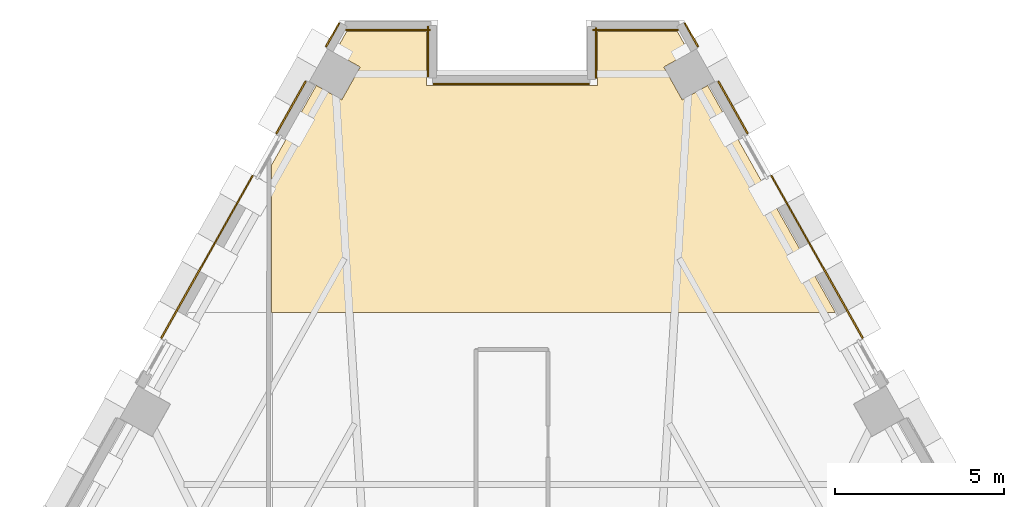
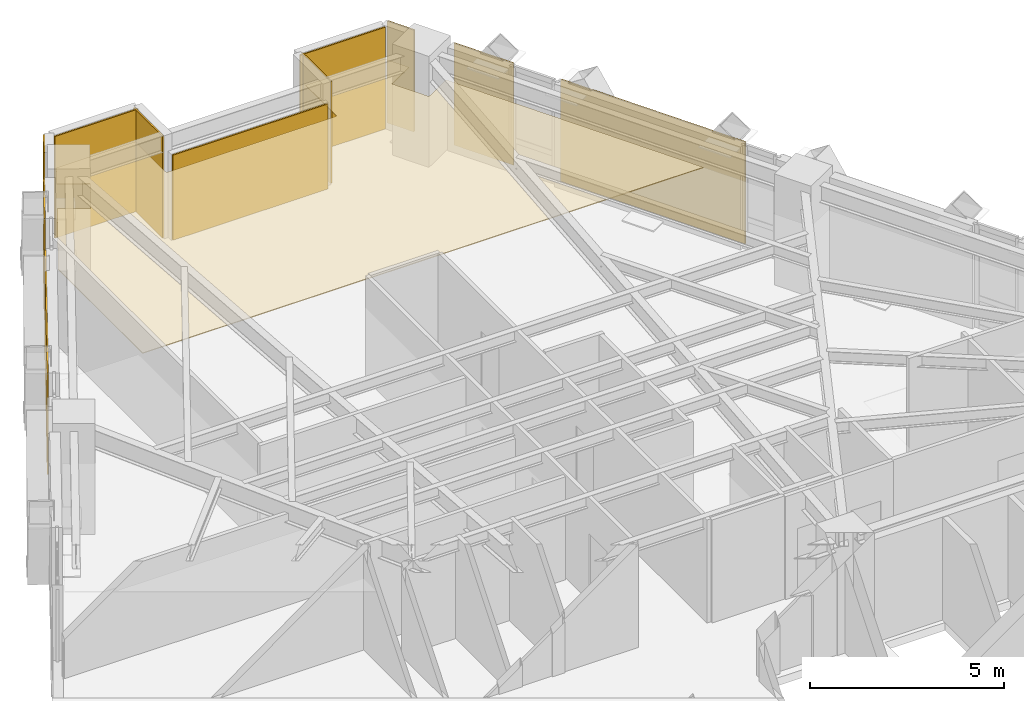
# One storey, part 13 of 13: 12 coverings.
"""IFC4 building model written with IfcOpenShell, lengths in metres."""

from ifc_helpers import new_model, si_unit, direction, frame, origin, place, context, subcontext, project, spatial, polyline, outline, extrude, material, layer, layer_set, type_object, element, save


model = new_model("IFC4")

# Units and contexts
model_context = context("Model", 3, precision=1e-05, world=origin(), true_north=direction((0.0, 1.0)))
body_context = subcontext(model_context, "Body", "Model", "MODEL_VIEW")
ifc_project = project(units=[si_unit("LENGTHUNIT", "METRE"), si_unit("AREAUNIT", "SQUARE_METRE"), si_unit("VOLUMEUNIT", "CUBIC_METRE"), si_unit("PLANEANGLEUNIT", "RADIAN"), si_unit("MASSUNIT", "GRAM", prefix="KILO")], contexts=[model_context])

# Site, building, storey
site_placement = place(None, origin())
site = spatial("IfcSite", under=ifc_project, at=site_placement, CompositionType="ELEMENT")
building_placement = place(site_placement, origin())
building = spatial("IfcBuilding", under=site, at=building_placement, Name="Quenlor Broadcast Tower", CompositionType="ELEMENT")
storey_placement = place(building_placement, frame((0.0, 0.0, 98.5)))
storey = spatial("IfcBuildingStorey", under=building, at=storey_placement, Name="L26", CompositionType="ELEMENT", Elevation=98.5)

# Coverings
ifc_material_1 = material(Name="Acoustic Mineral Fibre Board", Category="other")
ifc_layer_1 = layer(ifc_material_1, 0.02490234375)
ifc_layer_set_1 = layer_set([ifc_layer_1], Name="Acoustic Perforated Mineral Tile Ceiling 25")
covering_type_1 = type_object("IfcCoveringType", Name="Acoustic Perforated Mineral Tile Ceiling 25", PredefinedType="CEILING", material=ifc_layer_set_1)
covering_1_placement = place(storey_placement, frame((0.0, 0.0, 2.22509765625)))
element("IfcCovering", 1, at=covering_1_placement, inside=storey, type_object=covering_type_1, Name="L26 Acoustic Ceiling L26-33-2", PredefinedType="CEILING", context=body_context, shape_type="SweptSolid", body=[
    extrude(outline(polyline([(-7.139892578125, 17.01318359375), (-5.805908203125, 19.384765625), (-5.049560546875, 18.959228515625), (-4.50244140625, 19.931884765625), (-5.2587890625, 20.357421875), (-4.904296875, 20.988037109375), (-2.5400390625, 20.988037109375), (-2.5400390625, 19.387939453125), (2.5400390625, 19.387939453125), (2.5400390625, 20.988037109375), (2.909912109375, 20.988037109375), (4.904296875, 20.988037109375), (5.2587890625, 20.357421875), (4.50244140625, 19.931884765625), (5.049560546875, 18.959228515625), (5.805908203125, 19.384765625), (7.78662109375, 15.86376953125), (9.59423828125, 12.64990234375), (-7.139892578125, 12.64990234375), (-7.139892578125, 17.01318359375)])), origin(), (0.0, 0.0, 1.0), 0.02490234375),
])
ifc_material_2 = material(Name="Architectural Terracotta Ceramic", Category="masonry")
ifc_layer_2 = layer(ifc_material_2, 0.044921875)
ifc_layer_set_2 = layer_set([ifc_layer_2], Name="Fluted Terracotta Rainscreen Cladding Panel")
covering_type_2 = type_object("IfcCoveringType", Name="Fluted Terracotta Rainscreen Cladding Panel", PredefinedType="CLADDING", material=ifc_layer_set_2)
covering_2_placement = place(storey_placement, frame((0.0, 0.0, 0.02001953125)))
element("IfcCovering", 2, at=covering_2_placement, inside=storey, type_object=covering_type_2, Name="L26 Terracotta Rainscreen Cladding L26-SHD-NES0", PredefinedType="CLADDING", context=body_context, shape_type="SweptSolid", body=[
    extrude(outline(polyline([(5.105224609375, 21.22607421875), (5.5, 20.524169921875), (5.539306640625, 20.546142578125), (5.144287109375, 21.248046875), (5.105224609375, 21.22607421875)])), origin(), (0.0, 0.0, 1.0), 3.2099609375),
])
covering_3_placement = place(storey_placement, frame((0.0, 0.0, 0.02001953125)))
element("IfcCovering", 3, at=covering_3_placement, inside=storey, type_object=covering_type_2, Name="L26 Terracotta Rainscreen Cladding L26-NEA-SP1", PredefinedType="CLADDING", context=body_context, shape_type="SweptSolid", body=[
    extrude(outline(polyline([(6.10107421875, 19.496826171875), (6.97509765625, 17.9423828125), (7.014404296875, 17.964599609375), (6.14013671875, 19.518798828125), (6.10107421875, 19.496826171875)])), origin(), (0.0, 0.0, 1.0), 3.2099609375),
])
covering_4_placement = place(storey_placement, frame((0.0, 0.0, 0.02001953125)))
element("IfcCovering", 4, at=covering_4_placement, inside=storey, type_object=covering_type_2, Name="L26 Terracotta Rainscreen Cladding L26-NEA-SP2", PredefinedType="CLADDING", context=body_context, shape_type="SweptSolid", body=[
    extrude(outline(polyline([(7.673583984375, 16.700927734375), (10.38818359375, 11.874755859375), (10.427490234375, 11.896728515625), (7.712890625, 16.722900390625), (7.673583984375, 16.700927734375)])), origin(), (0.0, 0.0, 1.0), 3.2099609375),
])
covering_5_placement = place(storey_placement, frame((0.0, 0.0, 0.02001953125)))
element("IfcCovering", 5, at=covering_5_placement, inside=storey, type_object=covering_type_2, Name="L26 Terracotta Rainscreen Cladding L26-SHD-NWS1", PredefinedType="CLADDING", context=body_context, shape_type="SweptSolid", body=[
    extrude(outline(polyline([(-5.5, 20.524169921875), (-5.105224609375, 21.22607421875), (-5.144287109375, 21.248046875), (-5.539306640625, 20.546142578125), (-5.5, 20.524169921875)])), origin(), (0.0, 0.0, 1.0), 3.2099609375),
])
covering_6_placement = place(storey_placement, frame((0.0, 0.0, 0.02001953125)))
element("IfcCovering", 6, at=covering_6_placement, inside=storey, type_object=covering_type_2, Name="L26 Terracotta Rainscreen Cladding L26-NWC-SP2", PredefinedType="CLADDING", context=body_context, shape_type="SweptSolid", body=[
    extrude(outline(polyline([(-10.38818359375, 11.874755859375), (-7.673583984375, 16.700927734375), (-7.712890625, 16.722900390625), (-10.427490234375, 11.896728515625), (-10.38818359375, 11.874755859375)])), origin(), (0.0, 0.0, 1.0), 3.2099609375),
])
covering_7_placement = place(storey_placement, frame((0.0, 0.0, 0.02001953125)))
element("IfcCovering", 7, at=covering_7_placement, inside=storey, type_object=covering_type_2, Name="L26 Terracotta Rainscreen Cladding L26-NWC-SP3", PredefinedType="CLADDING", context=body_context, shape_type="SweptSolid", body=[
    extrude(outline(polyline([(-6.97509765625, 17.9423828125), (-6.10107421875, 19.496826171875), (-6.14013671875, 19.518798828125), (-7.014404296875, 17.964599609375), (-6.97509765625, 17.9423828125)])), origin(), (0.0, 0.0, 1.0), 3.2099609375),
])
covering_8_placement = place(storey_placement, frame((0.0, 0.0, 0.02001953125)))
element("IfcCovering", 8, at=covering_8_placement, inside=storey, type_object=covering_type_2, Name="L26 Terracotta Rainscreen Cladding L26-CNR-06", PredefinedType="CLADDING", context=body_context, shape_type="SweptSolid", body=[
    extrude(outline(polyline([(4.929443359375, 21.055908203125), (2.389892578125, 21.055908203125), (2.389892578125, 21.010986328125), (4.929443359375, 21.010986328125), (4.929443359375, 21.055908203125)])), origin(), (0.0, 0.0, 1.0), 3.2099609375),
])
covering_9_placement = place(storey_placement, frame((0.0, 0.0, 0.02001953125)))
element("IfcCovering", 9, at=covering_9_placement, inside=storey, type_object=covering_type_2, Name="L26 Terracotta Rainscreen Cladding L26-CNR-07", PredefinedType="CLADDING", context=body_context, shape_type="SweptSolid", body=[
    extrude(outline(polyline([(2.471923828125, 21.097900390625), (2.471923828125, 19.597900390625), (2.51708984375, 19.597900390625), (2.51708984375, 21.097900390625), (2.471923828125, 21.097900390625)])), origin(), (0.0, 0.0, 1.0), 3.2099609375),
])
covering_10_placement = place(storey_placement, frame((0.0, 0.0, 0.02001953125)))
element("IfcCovering", 10, at=covering_10_placement, inside=storey, type_object=covering_type_2, Name="L26 Terracotta Rainscreen Cladding L26-CNR-08", PredefinedType="CLADDING", context=body_context, shape_type="SweptSolid", body=[
    extrude(outline(polyline([(2.2900390625, 19.4560546875), (-2.330078125, 19.4560546875), (-2.330078125, 19.410888671875), (2.2900390625, 19.410888671875), (2.2900390625, 19.4560546875)])), origin(), (0.0, 0.0, 1.0), 2.681884765625),
])
covering_11_placement = place(storey_placement, frame((0.0, 0.0, 0.02001953125)))
element("IfcCovering", 11, at=covering_11_placement, inside=storey, type_object=covering_type_2, Name="L26 Terracotta Rainscreen Cladding L26-CNR-09", PredefinedType="CLADDING", context=body_context, shape_type="SweptSolid", body=[
    extrude(outline(polyline([(-2.471923828125, 19.637939453125), (-2.471923828125, 21.137939453125), (-2.51708984375, 21.137939453125), (-2.51708984375, 19.637939453125), (-2.471923828125, 19.637939453125)])), origin(), (0.0, 0.0, 1.0), 3.2099609375),
])
covering_12_placement = place(storey_placement, frame((0.0, 0.0, 0.02001953125)))
element("IfcCovering", 12, at=covering_12_placement, inside=storey, type_object=covering_type_2, Name="L26 Terracotta Rainscreen Cladding L26-CNR-10", PredefinedType="CLADDING", context=body_context, shape_type="SweptSolid", body=[
    extrude(outline(polyline([(-2.429931640625, 21.055908203125), (-4.929443359375, 21.055908203125), (-4.929443359375, 21.010986328125), (-2.429931640625, 21.010986328125), (-2.429931640625, 21.055908203125)])), origin(), (0.0, 0.0, 1.0), 3.2099609375),
])

save(model, "model.ifc")
